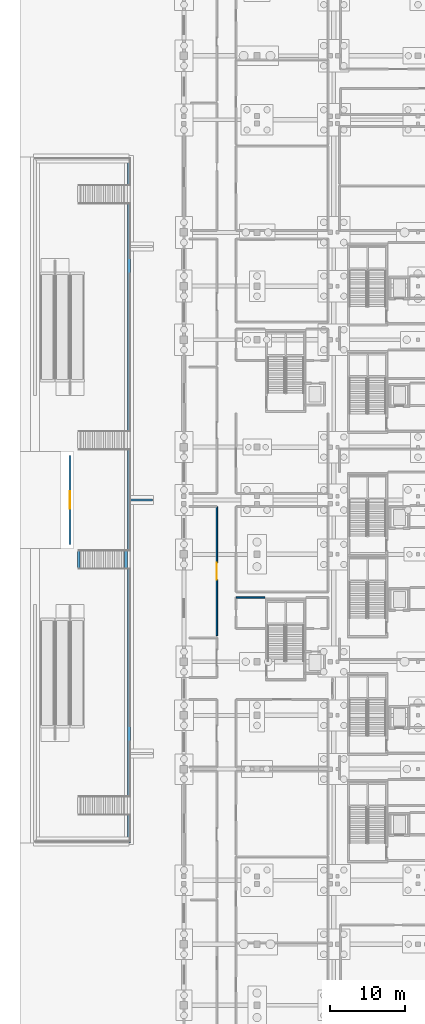
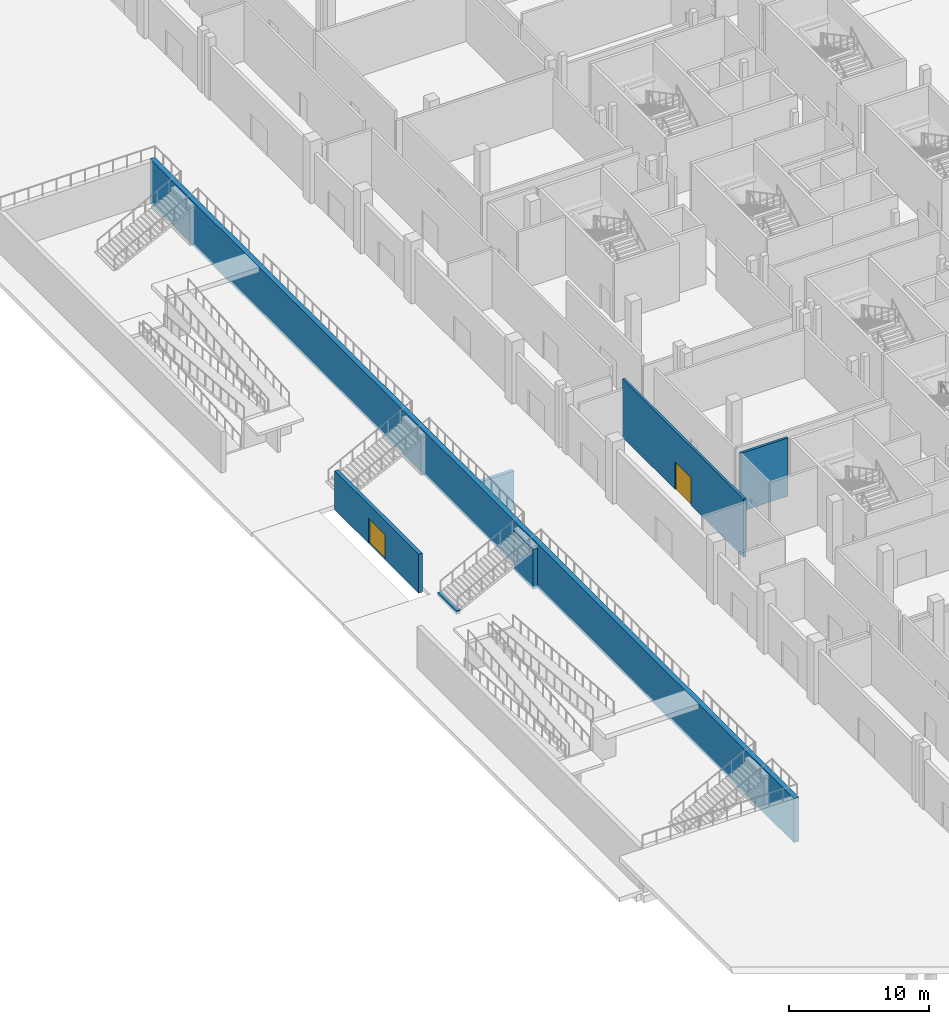
# One storey, part 34 of 89: 7 walls, 2 doors, 2 openings.
"""IFC4 building model written with IfcOpenShell, lengths in metres."""

import ifcopenshell
import ifcopenshell.guid

model = None  # the IFC model being written
_history = None  # IfcOwnerHistory: only IFC2X3 demands one
_inside = {}  # id of a spatial element -> (the spatial element, [elements in it])
_under = {}  # id of a project, library or spatial element -> (it, [spatial elements below it])
_declared = {}  # id of a project -> (the project, [libraries it declares])
_typed = {}  # id of a type object -> (the type object, [elements of that type])
_made_of = {}  # id of a material, layer set ... -> (it, [elements and type objects made of it])


def new_model(schema):
    """Start an empty IFC model of exactly this schema.

    Asked for "IFC4X3", IfcOpenShell would pick the latest addendum, in which some entities
    have other attributes; the version numbers below select the first issue.
    IFC2X3 requires an IfcOwnerHistory on every rooted entity: one is made here for all.
    """
    global model, _history
    if schema == "IFC4X3":
        model = ifcopenshell.file(schema_version=(4, 3, 0, 0))
    else:
        model = ifcopenshell.file(schema=schema)
    _inside.clear()
    _under.clear()
    _declared.clear()
    _typed.clear()
    _made_of.clear()
    _history = None
    if model.schema == "IFC2X3":
        org = make("IfcOrganization", Name="unknown")
        user = make(
            "IfcPersonAndOrganization",
            ThePerson=make("IfcPerson", FamilyName="unknown"),
            TheOrganization=org,
        )
        app = make(
            "IfcApplication",
            ApplicationDeveloper=org,
            Version="unknown",
            ApplicationFullName="unknown",
            ApplicationIdentifier="unknown",
        )
        _history = make(
            "IfcOwnerHistory",
            OwningUser=user,
            OwningApplication=app,
            ChangeAction="ADDED",
            CreationDate=0,
        )
    return model


def make(cls, **values):
    """One entity of the class cls with the attributes given. An attribute that is None is left unset."""
    return model.create_entity(
        cls, **{name: value for name, value in values.items() if value is not None}
    )


def rooted(cls, **values):
    """An entity with a GlobalId (a new one), such as an element, a storey or a relation."""
    return make(cls, GlobalId=ifcopenshell.guid.new(), OwnerHistory=_history, **values)


def si_unit(unit_type, name, prefix=None):
    """IfcSIUnit, for example si_unit("LENGTHUNIT", "METRE", prefix="MILLI")."""
    return make("IfcSIUnit", UnitType=unit_type, Prefix=prefix, Name=name)


def assignment(units):
    """IfcUnitAssignment: the units of a project."""
    return None if units is None else make("IfcUnitAssignment", Units=units)


def point(xyz):
    """IfcCartesianPoint."""
    return None if xyz is None else make("IfcCartesianPoint", Coordinates=xyz)


def direction(xyz):
    """IfcDirection."""
    return None if xyz is None else make("IfcDirection", DirectionRatios=xyz)


def frame(location, z_axis=None, x_axis=None):
    """IfcAxis2Placement3D, a coordinate frame: its origin and axes. An axis left out is left unset."""
    return make(
        "IfcAxis2Placement3D",
        Location=point(location),
        Axis=direction(z_axis),
        RefDirection=direction(x_axis),
    )


def frame_2d(location, x_axis=None):
    """IfcAxis2Placement2D, a coordinate frame in the plane: its origin and x axis."""
    return make(
        "IfcAxis2Placement2D", Location=point(location), RefDirection=direction(x_axis)
    )


def origin():
    """The frame at (0, 0, 0) with its axes left unset."""
    return frame((0.0, 0.0, 0.0))


def place(relative_to, where):
    """IfcLocalPlacement: puts the frame where relative to a parent placement (None: the world)."""
    return make(
        "IfcLocalPlacement", PlacementRelTo=relative_to, RelativePlacement=where
    )


def context(
    kind, dimensions, precision=None, world=None, true_north=None, identifier=None
):
    """IfcGeometricRepresentationContext, for example the 3D "Model" context."""
    return make(
        "IfcGeometricRepresentationContext",
        ContextIdentifier=identifier,
        ContextType=kind,
        CoordinateSpaceDimension=dimensions,
        Precision=precision,
        WorldCoordinateSystem=world,
        TrueNorth=true_north,
    )


def subcontext(parent, identifier, kind, view, scale=None):
    """IfcGeometricRepresentationSubContext, for example "Body" below "Model"."""
    return make(
        "IfcGeometricRepresentationSubContext",
        ContextIdentifier=identifier,
        ContextType=kind,
        ParentContext=parent,
        TargetScale=scale,
        TargetView=view,
    )


def project(units=None, contexts=None):
    """IfcProject with its units and contexts."""
    return rooted(
        "IfcProject",
        Name="project",
        RepresentationContexts=contexts,
        UnitsInContext=assignment(units),
    )


def spatial(cls, under=None, at=None, **own):
    """A site, building, storey or space (cls), placed at a placement, below another one or the project."""
    s = rooted(cls, ObjectPlacement=at, **own)
    if under is not None:
        _under.setdefault(under.id(), (under, []))[1].append(s)
    return s


def profile(cls, at=None, kind="AREA", **sizes):
    """A parametric profile (cls). Its sizes go by their IFC names, for example OverallWidth=200.0."""
    return make(cls, ProfileType=kind, Position=at, **sizes)


def rectangle(**sizes):
    """IfcRectangleProfileDef."""
    return profile("IfcRectangleProfileDef", **sizes)


def extrude(swept, where, along, depth):
    """IfcExtrudedAreaSolid: the profile swept, set in the frame where, extruded along a direction by depth."""
    return make(
        "IfcExtrudedAreaSolid",
        SweptArea=swept,
        Position=where,
        ExtrudedDirection=direction(along),
        Depth=depth,
    )


def shape(context_of_items, identifier, shape_type, items):
    """IfcShapeRepresentation: the items that make up one representation, for example the "Body"."""
    return make(
        "IfcShapeRepresentation",
        ContextOfItems=context_of_items,
        RepresentationIdentifier=identifier,
        RepresentationType=shape_type,
        Items=items,
    )


def material(Name=None, Category=None):
    """IfcMaterial."""
    return make("IfcMaterial", Name=Name, Category=Category)


def layer(
    of_material, thickness, ventilated=None, Name=None, Category=None, Priority=None
):
    """IfcMaterialLayer: one layer of a wall or slab, of a material (None: an air gap)."""
    return make(
        "IfcMaterialLayer",
        Material=of_material,
        LayerThickness=thickness,
        IsVentilated=ventilated,
        Name=Name,
        Category=Category,
        Priority=Priority,
    )


def layer_set(layers, Name=None):
    """IfcMaterialLayerSet."""
    return make("IfcMaterialLayerSet", MaterialLayers=layers, LayerSetName=Name)


def made_of(thing, what):
    """Note that an element or type object is made of a material, layer set ...; save() writes the relation."""
    if what is not None:
        _made_of.setdefault(what.id(), (what, []))[1].append(thing)
    return thing


def type_object(cls, material=None, **own):
    """A type object (cls), such as IfcWallType, which elements share."""
    return made_of(rooted(cls, **own), material)


def element(
    cls,
    number,
    at=None,
    inside=None,
    cuts=None,
    type_object=None,
    material=None,
    context=None,
    identifier="Body",
    shape_type=None,
    held_by="IfcProductDefinitionShape",
    body=None,
    shapes=None,
    **own,
):
    """One element of the class cls, such as IfcWall. Its Tag is "e" and its number.

    at: its placement. inside: the storey or other place that contains it. cuts: it is an
    opening in that element (IfcRelVoidsElement). A single representation is given by context,
    identifier, shape_type and body (its items); several are given by shapes. held_by: the class
    of the entity that holds the representations. save() writes the other relations.
    """
    e = rooted(cls, Tag="e%d" % number, ObjectPlacement=at, **own)
    if body is not None:
        shapes = [shape(context, identifier, shape_type, body)]
    if shapes is not None:
        e.Representation = make(held_by, Representations=shapes)
    if inside is not None:
        _inside.setdefault(inside.id(), (inside, []))[1].append(e)
    if cuts is not None:
        rooted(
            "IfcRelVoidsElement", RelatingBuildingElement=cuts, RelatedOpeningElement=e
        )
    if type_object is not None:
        _typed.setdefault(type_object.id(), (type_object, []))[1].append(e)
    return made_of(e, material)


def fill(opening, filler):
    """IfcRelFillsElement: the door or window that sits in an opening."""
    return rooted(
        "IfcRelFillsElement",
        RelatingOpeningElement=opening,
        RelatedBuildingElement=filler,
    )


def aggregate(whole, parts):
    """IfcRelAggregates: a whole, such as a stair, and the parts it consists of."""
    return rooted("IfcRelAggregates", RelatingObject=whole, RelatedObjects=parts)


def save(model, path):
    """Write the relations noted so far, then the file.

    IfcRelAggregates (storeys below a building ...), IfcRelContainedInSpatialStructure (elements
    in a storey), IfcRelDefinesByType, IfcRelAssociatesMaterial and IfcRelDeclares: one each for
    every whole, place, type object, material and project.
    """
    for whole, parts in _under.values():
        aggregate(whole, parts)
    for where, things in _inside.values():
        rooted(
            "IfcRelContainedInSpatialStructure",
            RelatedElements=things,
            RelatingStructure=where,
        )
    for kind, things in _typed.values():
        rooted("IfcRelDefinesByType", RelatedObjects=things, RelatingType=kind)
    for what, things in _made_of.values():
        rooted("IfcRelAssociatesMaterial", RelatedObjects=things, RelatingMaterial=what)
    for by, libraries in _declared.values():
        rooted("IfcRelDeclares", RelatingContext=by, RelatedDefinitions=libraries)
    model.write(path)


model = new_model("IFC4")

# Units and contexts
model_context = context("Model", 3, precision=1e-05, world=origin(), true_north=direction((0.0, 1.0)))
body_context = subcontext(model_context, "Body", "Model", "MODEL_VIEW")
ifc_project = project(units=[si_unit("LENGTHUNIT", "METRE"), si_unit("AREAUNIT", "SQUARE_METRE"), si_unit("VOLUMEUNIT", "CUBIC_METRE"), si_unit("PLANEANGLEUNIT", "RADIAN"), si_unit("MASSUNIT", "GRAM", prefix="KILO")], contexts=[model_context])

# Site, building, storey
site_placement = place(None, origin())
site = spatial("IfcSite", under=ifc_project, at=site_placement, CompositionType="ELEMENT")
building_placement = place(site_placement, origin())
building = spatial("IfcBuilding", under=site, at=building_placement, Name="Koshinbarg Plaza Stadium", CompositionType="ELEMENT")
storey_placement = place(building_placement, origin())
storey = spatial("IfcBuildingStorey", under=building, at=storey_placement, Name="L00", CompositionType="ELEMENT", Elevation=0.0)

# Wall, opening, door
ifc_material_1 = material(Name="Off-white mineral plaster insulated wall", Category="masonry")
ifc_layer_1 = layer(ifc_material_1, 0.300048828125)
ifc_layer_set_1 = layer_set([ifc_layer_1], Name="Off-white mineral plaster insulated wall")
wall_type_1 = type_object("IfcWallType", Name="WL-EXT-300", PredefinedType="SOLIDWALL", material=ifc_layer_set_1)
wall_1_placement = place(storey_placement, frame((-11.300048828125, 70.0, -3.60009765625), z_axis=(0.0, 0.0, 1.0), x_axis=(0.0, 1.0, 0.0)))
wall_1 = element("IfcWall", 1, at=wall_1_placement, inside=storey, type_object=wall_type_1, Name="Metro forecourt concourse portal wall", PredefinedType="SOLIDWALL", context=body_context, shape_type="SweptSolid", body=[
    extrude(rectangle(XDim=12.0, YDim=0.300048828125, at=frame_2d((6.0, 0.0))), origin(), (0.0, 0.0, 1.0), 3.400146484375),
])
opening_1_placement = place(wall_1_placement, frame((4.800048828125, 0.0, 0.0)))
opening_1 = element("IfcOpeningElement", 2, at=opening_1_placement, cuts=wall_1, Name="Opening D-0001", PredefinedType="OPENING", context=body_context, shape_type="SweptSolid", body=[
    extrude(rectangle(XDim=2.39990234375, YDim=2.199951171875, at=frame_2d((1.199951171875, 1.10009765625))), frame((0.0, 0.159912109375, 0.0), z_axis=(0.0, -1.0, 0.0), x_axis=(1.0, 0.0, 0.0)), (0.0, 0.0, 1.0), 0.320068359375),
])
ifc_material_2 = material(Name="Anodised aluminium thermally broken exit door", Category="aluminium")
door_type_1 = type_object("IfcDoorType", Name="DR-EXIT-2400", OperationType="NOTDEFINED", PredefinedType="DOOR", material=ifc_material_2)
door_1_placement = place(opening_1_placement, origin())
door_1 = element("IfcDoor", 3, at=door_1_placement, inside=storey, type_object=door_type_1, Name="Metro concourse pedestrian portal entrance", OperationType="DOUBLE_DOOR_SINGLE_SWING", OverallHeight=2.199951171875, OverallWidth=2.39990234375, PredefinedType="DOOR", context=body_context, shape_type="SweptSolid", body=[
    extrude(rectangle(XDim=2.39990234375, YDim=2.199951171875, at=frame_2d((1.199951171875, 1.10009765625))), frame((0.0, 0.02490234375, 0.0), z_axis=(0.0, -1.0, 0.0), x_axis=(1.0, 0.0, 0.0)), (0.0, 0.0, 1.0), 0.050048828125),
])
fill(opening_1, door_1)

ifc_material_3 = material(Name="Autoclaved aerated blockwork fire partition", Category="masonry")
ifc_layer_2 = layer(ifc_material_3, 0.199951171875)
ifc_layer_set_2 = layer_set([ifc_layer_2], Name="Autoclaved aerated blockwork fire partition")
wall_type_2 = type_object("IfcWallType", Name="WL-PART-200", PredefinedType="PARTITIONING", material=ifc_layer_set_2)
wall_2_placement = place(storey_placement, frame((8.39990234375, 57.78759765625, 0.0), z_axis=(0.0, 0.0, 1.0), x_axis=(0.0, 1.0, 0.0)))
wall_2 = element("IfcWall", 4, at=wall_2_placement, inside=storey, type_object=wall_type_2, Name="L00 interior partition L00-165-east IWL-L00-1323", PredefinedType="PARTITIONING", context=body_context, shape_type="SweptSolid", body=[
    extrude(rectangle(XDim=17.3173828125, YDim=0.199951171875, at=frame_2d((8.65869140625, 0.0))), origin(), (0.0, 0.0, 1.0), 5.080078125),
])
opening_2_placement = place(wall_2_placement, frame((7.518798828125, 0.0, 0.0)))
opening_2 = element("IfcOpeningElement", 5, at=opening_2_placement, cuts=wall_2, Name="Opening D-0434", PredefinedType="OPENING", context=body_context, shape_type="SweptSolid", body=[
    extrude(rectangle(XDim=2.280029296875, YDim=2.39990234375, at=frame_2d((1.14013671875, 1.199951171875))), frame((0.0, 0.10986328125, 0.0), z_axis=(0.0, -1.0, 0.0), x_axis=(1.0, 0.0, 0.0)), (0.0, 0.0, 1.0), 0.219970703125),
])
ifc_material_4 = material(Name="Anodised aluminium and laminated glass portal door", Category="aluminium")
door_type_2 = type_object("IfcDoorType", Name="DR-INT-2280x2400", OperationType="NOTDEFINED", PredefinedType="DOOR", material=ifc_material_4)
door_2_placement = place(opening_2_placement, origin())
door_2 = element("IfcDoor", 6, at=door_2_placement, inside=storey, type_object=door_type_2, Name="L00 Southwest Ceremonial Concourse door D-0434", OperationType="DOUBLE_DOOR_SINGLE_SWING", OverallHeight=2.39990234375, OverallWidth=2.280029296875, PredefinedType="DOOR", context=body_context, shape_type="SweptSolid", body=[
    extrude(rectangle(XDim=2.280029296875, YDim=2.39990234375, at=frame_2d((1.14013671875, 1.199951171875))), frame((0.0, 0.02490234375, 0.0), z_axis=(0.0, -1.0, 0.0), x_axis=(1.0, 0.0, 0.0)), (0.0, 0.0, 1.0), 0.050048828125),
])
fill(opening_2, door_2)

# Walls
wall_3_placement = place(storey_placement, frame((14.8701171875, 62.929931640625, 0.0), z_axis=(0.0, 0.0, 1.0), x_axis=(-1.0, 0.0, 0.0)))
element("IfcWall", 7, at=wall_3_placement, inside=storey, type_object=wall_type_2, Name="L00 interior partition L00-167-north IWL-L00-1330", PredefinedType="PARTITIONING", context=body_context, shape_type="SweptSolid", body=[
    extrude(rectangle(XDim=3.8701171875, YDim=0.199951171875, at=frame_2d((1.93505859375, 0.0))), origin(), (0.0, 0.0, 1.0), 5.080078125),
])
ifc_material_5 = material(Name="Concrete C35/45", Category="concrete")
ifc_layer_3 = layer(ifc_material_5, 0.39990234375)
ifc_layer_set_3 = layer_set([ifc_layer_3], Name="Concrete C35/45")
wall_type_3 = type_object("IfcWallType", Name="WL-RET-400", PredefinedType="USERDEFINED", material=ifc_layer_set_3)
wall_4_placement = place(storey_placement, frame((-3.199951171875, 76.0, -3.85009765625), z_axis=(0.0, 0.0, 1.0), x_axis=(1.0, 0.0, 0.0)))
element("IfcWall", 8, at=wall_4_placement, inside=storey, type_object=wall_type_3, Name="Forecourt rim buttress 76", ObjectType="RETAININGWALL", PredefinedType="USERDEFINED", context=body_context, shape_type="SweptSolid", body=[
    extrude(rectangle(XDim=3.0, YDim=0.300048828125, at=frame_2d((1.5, 0.0))), origin(), (0.0, 0.0, 1.0), 3.43017578125),
])
wall_5_placement = place(storey_placement, frame((-3.39990234375, 30.0, -3.85009765625), z_axis=(0.0, 0.0, 1.0), x_axis=(0.0, 1.0, 0.0)))
element("IfcWall", 9, at=wall_5_placement, inside=storey, type_object=wall_type_3, Name="Sunken metro forecourt retaining wall RW-FC-E", ObjectType="RETAININGWALL", PredefinedType="USERDEFINED", context=body_context, shape_type="SweptSolid", body=[
    extrude(rectangle(XDim=92.0, YDim=0.39990234375, at=frame_2d((46.0, 0.0))), origin(), (0.0, 0.0, 1.0), 3.85009765625),
])
wall_6_placement = place(storey_placement, frame((-10.10009765625, 66.64990234375, -3.85009765625), z_axis=(0.0, 0.0, 1.0), x_axis=(0.0, 1.0, 0.0)))
element("IfcWall", 10, at=wall_6_placement, inside=storey, type_object=wall_type_3, Name="ST-FC-02 flight bearing wall 1", ObjectType="RETAININGWALL", PredefinedType="USERDEFINED", context=body_context, shape_type="SweptSolid", body=[
    extrude(rectangle(XDim=2.7001953125, YDim=0.35009765625, at=frame_2d((1.35009765625, 0.0))), origin(), (0.0, 0.0, 1.0), 0.300048828125),
])
wall_7_placement = place(storey_placement, frame((-3.780029296875, 66.64990234375, -3.85009765625), z_axis=(0.0, 0.0, 1.0), x_axis=(0.0, 1.0, 0.0)))
element("IfcWall", 11, at=wall_7_placement, inside=storey, type_object=wall_type_3, Name="ST-FC-02 flight bearing wall 2", ObjectType="RETAININGWALL", PredefinedType="USERDEFINED", context=body_context, shape_type="SweptSolid", body=[
    extrude(rectangle(XDim=2.7001953125, YDim=0.35009765625, at=frame_2d((1.35009765625, 0.0))), origin(), (0.0, 0.0, 1.0), 3.5),
])

save(model, "model.ifc")
